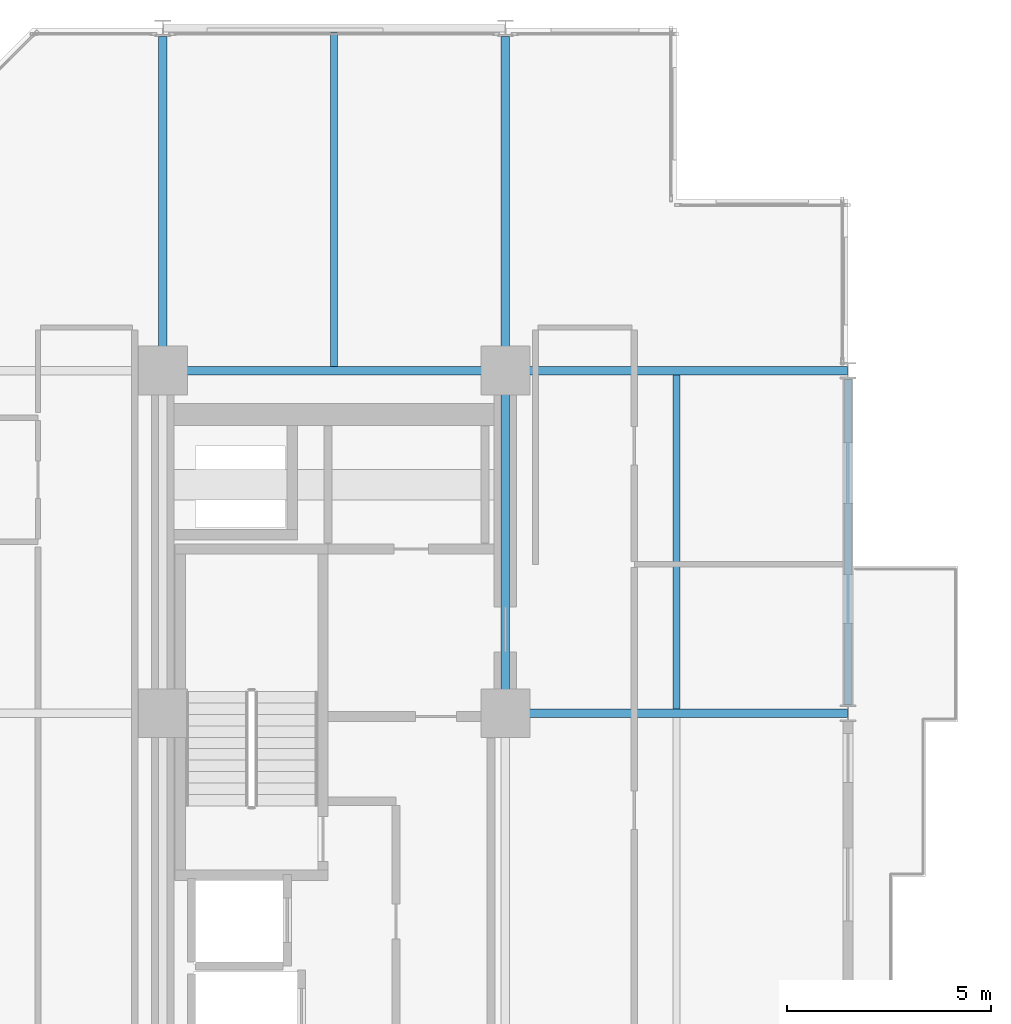
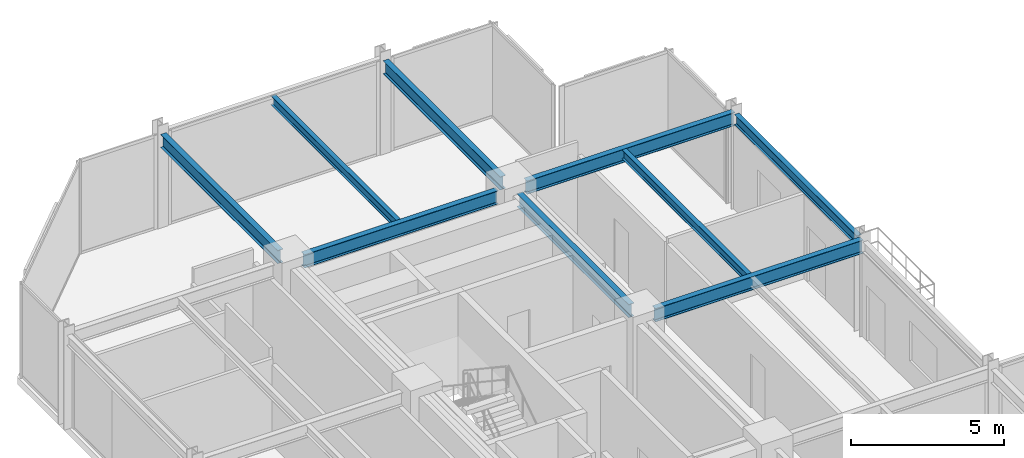
# One storey, part 19 of 29: 9 beams.
"""IFC4 building model written with IfcOpenShell, lengths in metres."""

import ifcopenshell
import ifcopenshell.guid

model = None  # the IFC model being written
_history = None  # IfcOwnerHistory: only IFC2X3 demands one
_inside = {}  # id of a spatial element -> (the spatial element, [elements in it])
_under = {}  # id of a project, library or spatial element -> (it, [spatial elements below it])
_declared = {}  # id of a project -> (the project, [libraries it declares])
_typed = {}  # id of a type object -> (the type object, [elements of that type])
_made_of = {}  # id of a material, layer set ... -> (it, [elements and type objects made of it])


def new_model(schema):
    """Start an empty IFC model of exactly this schema.

    Asked for "IFC4X3", IfcOpenShell would pick the latest addendum, in which some entities
    have other attributes; the version numbers below select the first issue.
    IFC2X3 requires an IfcOwnerHistory on every rooted entity: one is made here for all.
    """
    global model, _history
    if schema == "IFC4X3":
        model = ifcopenshell.file(schema_version=(4, 3, 0, 0))
    else:
        model = ifcopenshell.file(schema=schema)
    _inside.clear()
    _under.clear()
    _declared.clear()
    _typed.clear()
    _made_of.clear()
    _history = None
    if model.schema == "IFC2X3":
        org = make("IfcOrganization", Name="unknown")
        user = make(
            "IfcPersonAndOrganization",
            ThePerson=make("IfcPerson", FamilyName="unknown"),
            TheOrganization=org,
        )
        app = make(
            "IfcApplication",
            ApplicationDeveloper=org,
            Version="unknown",
            ApplicationFullName="unknown",
            ApplicationIdentifier="unknown",
        )
        _history = make(
            "IfcOwnerHistory",
            OwningUser=user,
            OwningApplication=app,
            ChangeAction="ADDED",
            CreationDate=0,
        )
    return model


def make(cls, **values):
    """One entity of the class cls with the attributes given. An attribute that is None is left unset."""
    return model.create_entity(
        cls, **{name: value for name, value in values.items() if value is not None}
    )


def rooted(cls, **values):
    """An entity with a GlobalId (a new one), such as an element, a storey or a relation."""
    return make(cls, GlobalId=ifcopenshell.guid.new(), OwnerHistory=_history, **values)


def si_unit(unit_type, name, prefix=None):
    """IfcSIUnit, for example si_unit("LENGTHUNIT", "METRE", prefix="MILLI")."""
    return make("IfcSIUnit", UnitType=unit_type, Prefix=prefix, Name=name)


def assignment(units):
    """IfcUnitAssignment: the units of a project."""
    return None if units is None else make("IfcUnitAssignment", Units=units)


def point(xyz):
    """IfcCartesianPoint."""
    return None if xyz is None else make("IfcCartesianPoint", Coordinates=xyz)


def direction(xyz):
    """IfcDirection."""
    return None if xyz is None else make("IfcDirection", DirectionRatios=xyz)


def frame(location, z_axis=None, x_axis=None):
    """IfcAxis2Placement3D, a coordinate frame: its origin and axes. An axis left out is left unset."""
    return make(
        "IfcAxis2Placement3D",
        Location=point(location),
        Axis=direction(z_axis),
        RefDirection=direction(x_axis),
    )


def frame_2d(location, x_axis=None):
    """IfcAxis2Placement2D, a coordinate frame in the plane: its origin and x axis."""
    return make(
        "IfcAxis2Placement2D", Location=point(location), RefDirection=direction(x_axis)
    )


def origin():
    """The frame at (0, 0, 0) with its axes left unset."""
    return frame((0.0, 0.0, 0.0))


def origin_2d():
    """The frame at (0, 0) in the plane with its x axis left unset."""
    return frame_2d((0.0, 0.0))


def place(relative_to, where):
    """IfcLocalPlacement: puts the frame where relative to a parent placement (None: the world)."""
    return make(
        "IfcLocalPlacement", PlacementRelTo=relative_to, RelativePlacement=where
    )


def context(
    kind, dimensions, precision=None, world=None, true_north=None, identifier=None
):
    """IfcGeometricRepresentationContext, for example the 3D "Model" context."""
    return make(
        "IfcGeometricRepresentationContext",
        ContextIdentifier=identifier,
        ContextType=kind,
        CoordinateSpaceDimension=dimensions,
        Precision=precision,
        WorldCoordinateSystem=world,
        TrueNorth=true_north,
    )


def subcontext(parent, identifier, kind, view, scale=None):
    """IfcGeometricRepresentationSubContext, for example "Body" below "Model"."""
    return make(
        "IfcGeometricRepresentationSubContext",
        ContextIdentifier=identifier,
        ContextType=kind,
        ParentContext=parent,
        TargetScale=scale,
        TargetView=view,
    )


def project(units=None, contexts=None):
    """IfcProject with its units and contexts."""
    return rooted(
        "IfcProject",
        Name="project",
        RepresentationContexts=contexts,
        UnitsInContext=assignment(units),
    )


def spatial(cls, under=None, at=None, **own):
    """A site, building, storey or space (cls), placed at a placement, below another one or the project."""
    s = rooted(cls, ObjectPlacement=at, **own)
    if under is not None:
        _under.setdefault(under.id(), (under, []))[1].append(s)
    return s


def profile(cls, at=None, kind="AREA", **sizes):
    """A parametric profile (cls). Its sizes go by their IFC names, for example OverallWidth=200.0."""
    return make(cls, ProfileType=kind, Position=at, **sizes)


def i_section(**sizes):
    """IfcIShapeProfileDef."""
    return profile("IfcIShapeProfileDef", **sizes)


def extrude(swept, where, along, depth):
    """IfcExtrudedAreaSolid: the profile swept, set in the frame where, extruded along a direction by depth."""
    return make(
        "IfcExtrudedAreaSolid",
        SweptArea=swept,
        Position=where,
        ExtrudedDirection=direction(along),
        Depth=depth,
    )


def shape(context_of_items, identifier, shape_type, items):
    """IfcShapeRepresentation: the items that make up one representation, for example the "Body"."""
    return make(
        "IfcShapeRepresentation",
        ContextOfItems=context_of_items,
        RepresentationIdentifier=identifier,
        RepresentationType=shape_type,
        Items=items,
    )


def material(Name=None, Category=None):
    """IfcMaterial."""
    return make("IfcMaterial", Name=Name, Category=Category)


def material_profile(
    of_material, cross_section, Name=None, Category=None, Priority=None
):
    """IfcMaterialProfile: a cross section and its material."""
    return make(
        "IfcMaterialProfile",
        Name=Name,
        Material=of_material,
        Profile=cross_section,
        Priority=Priority,
        Category=Category,
    )


def profile_set(profiles, Name=None, composite=None):
    """IfcMaterialProfileSet."""
    return make(
        "IfcMaterialProfileSet",
        Name=Name,
        MaterialProfiles=profiles,
        CompositeProfile=composite,
    )


def made_of(thing, what):
    """Note that an element or type object is made of a material, layer set ...; save() writes the relation."""
    if what is not None:
        _made_of.setdefault(what.id(), (what, []))[1].append(thing)
    return thing


def type_object(cls, material=None, **own):
    """A type object (cls), such as IfcWallType, which elements share."""
    return made_of(rooted(cls, **own), material)


def element(
    cls,
    number,
    at=None,
    inside=None,
    cuts=None,
    type_object=None,
    material=None,
    context=None,
    identifier="Body",
    shape_type=None,
    held_by="IfcProductDefinitionShape",
    body=None,
    shapes=None,
    **own,
):
    """One element of the class cls, such as IfcWall. Its Tag is "e" and its number.

    at: its placement. inside: the storey or other place that contains it. cuts: it is an
    opening in that element (IfcRelVoidsElement). A single representation is given by context,
    identifier, shape_type and body (its items); several are given by shapes. held_by: the class
    of the entity that holds the representations. save() writes the other relations.
    """
    e = rooted(cls, Tag="e%d" % number, ObjectPlacement=at, **own)
    if body is not None:
        shapes = [shape(context, identifier, shape_type, body)]
    if shapes is not None:
        e.Representation = make(held_by, Representations=shapes)
    if inside is not None:
        _inside.setdefault(inside.id(), (inside, []))[1].append(e)
    if cuts is not None:
        rooted(
            "IfcRelVoidsElement", RelatingBuildingElement=cuts, RelatedOpeningElement=e
        )
    if type_object is not None:
        _typed.setdefault(type_object.id(), (type_object, []))[1].append(e)
    return made_of(e, material)


def aggregate(whole, parts):
    """IfcRelAggregates: a whole, such as a stair, and the parts it consists of."""
    return rooted("IfcRelAggregates", RelatingObject=whole, RelatedObjects=parts)


def save(model, path):
    """Write the relations noted so far, then the file.

    IfcRelAggregates (storeys below a building ...), IfcRelContainedInSpatialStructure (elements
    in a storey), IfcRelDefinesByType, IfcRelAssociatesMaterial and IfcRelDeclares: one each for
    every whole, place, type object, material and project.
    """
    for whole, parts in _under.values():
        aggregate(whole, parts)
    for where, things in _inside.values():
        rooted(
            "IfcRelContainedInSpatialStructure",
            RelatedElements=things,
            RelatingStructure=where,
        )
    for kind, things in _typed.values():
        rooted("IfcRelDefinesByType", RelatedObjects=things, RelatingType=kind)
    for what, things in _made_of.values():
        rooted("IfcRelAssociatesMaterial", RelatedObjects=things, RelatingMaterial=what)
    for by, libraries in _declared.values():
        rooted("IfcRelDeclares", RelatingContext=by, RelatedDefinitions=libraries)
    model.write(path)


model = new_model("IFC4")

# Units and contexts
model_context = context("Model", 3, precision=1e-05, world=origin(), true_north=direction((0.0, 1.0)))
body_context = subcontext(model_context, "Body", "Model", "MODEL_VIEW")
ifc_project = project(units=[si_unit("LENGTHUNIT", "METRE"), si_unit("AREAUNIT", "SQUARE_METRE"), si_unit("VOLUMEUNIT", "CUBIC_METRE"), si_unit("PLANEANGLEUNIT", "RADIAN"), si_unit("MASSUNIT", "GRAM", prefix="KILO")], contexts=[model_context])

# Site, building, storey
site_placement = place(None, origin())
site = spatial("IfcSite", under=ifc_project, at=site_placement, CompositionType="ELEMENT")
building_placement = place(site_placement, origin())
building = spatial("IfcBuilding", under=site, at=building_placement, Name="Nerrivon Quay Data Exchange", CompositionType="ELEMENT")
storey_placement = place(building_placement, frame((0.0, 0.0, 158.199951171875)))
storey = spatial("IfcBuildingStorey", under=building, at=storey_placement, Name="L37", CompositionType="ELEMENT", Elevation=158.199951171875)

# Beams
ifc_material = material(Name="Steel Grade 350", Category="steel")
ifc_material_profile_1 = material_profile(ifc_material, i_section(OverallWidth=0.208984375, OverallDepth=0.532958984375, WebThickness=0.01025390625, FlangeThickness=0.015625, FilletRadius=0.013916015625, at=origin_2d()), Name="530UB92.4")
ifc_profile_set_1 = profile_set([ifc_material_profile_1], Name="Steel Grade 350")
beam_type_1 = type_object("IfcBeamType", Name="BM-G3-530UB92", PredefinedType="BEAM", material=ifc_profile_set_1)
beam_1_placement = place(storey_placement, frame((17.340087890625, 33.60009765625, 3.483642578125), z_axis=(1.0, 0.0, 0.0), x_axis=(0.0, 1.0, 0.0)))
element("IfcBeam", 1, at=beam_1_placement, inside=storey, type_object=beam_type_1, Name="L37 EW Girder Y=33.6 (16.8..25.2)", PredefinedType="BEAM", context=body_context, shape_type="SweptSolid", body=[
    extrude(i_section(OverallWidth=0.208984375, OverallDepth=0.532958984375, WebThickness=0.01025390625, FlangeThickness=0.015625, FilletRadius=0.013916015625, at=origin_2d()), origin(), (0.0, 0.0, 1.0), 7.847412109375),
])
beam_2_placement = place(storey_placement, frame((8.93994140625, 42.0, 3.483642578125), z_axis=(1.0, 0.0, 0.0), x_axis=(0.0, 1.0, 0.0)))
element("IfcBeam", 2, at=beam_2_placement, inside=storey, type_object=beam_type_1, Name="L37 EW Girder Y=42.0 (8.4..16.8)", PredefinedType="BEAM", context=body_context, shape_type="SweptSolid", body=[
    extrude(i_section(OverallWidth=0.208984375, OverallDepth=0.532958984375, WebThickness=0.01025390625, FlangeThickness=0.015625, FilletRadius=0.013916015625, at=origin_2d()), origin(), (0.0, 0.0, 1.0), 7.320068359375),
])
beam_3_placement = place(storey_placement, frame((17.340087890625, 42.0, 3.483642578125), z_axis=(1.0, 0.0, 0.0), x_axis=(0.0, 1.0, 0.0)))
element("IfcBeam", 3, at=beam_3_placement, inside=storey, type_object=beam_type_1, Name="L37 EW Girder Y=42.0 (16.8..25.2)", PredefinedType="BEAM", context=body_context, shape_type="SweptSolid", body=[
    extrude(i_section(OverallWidth=0.208984375, OverallDepth=0.532958984375, WebThickness=0.01025390625, FlangeThickness=0.015625, FilletRadius=0.013916015625, at=origin_2d()), origin(), (0.0, 0.0, 1.0), 7.847412109375),
])
ifc_material_profile_2 = material_profile(ifc_material, i_section(OverallWidth=0.208984375, OverallDepth=0.528076171875, WebThickness=0.009521484375, FlangeThickness=0.01318359375, FilletRadius=0.013916015625, at=origin_2d()), Name="530UB82.0")
ifc_profile_set_2 = profile_set([ifc_material_profile_2], Name="Steel Grade 350")
beam_type_2 = type_object("IfcBeamType", Name="BM-G4-530UB82", PredefinedType="BEAM", material=ifc_profile_set_2)
beam_4_placement = place(storey_placement, frame((8.39990234375, 42.5400390625, 3.486083984375), z_axis=(0.0, 1.0, 0.0), x_axis=(-1.0, 0.0, 0.0)))
element("IfcBeam", 4, at=beam_4_placement, inside=storey, type_object=beam_type_2, Name="L37 NS Girder X=8.4 (42.0..50.4)", PredefinedType="BEAM", context=body_context, shape_type="SweptSolid", body=[
    extrude(i_section(OverallWidth=0.208984375, OverallDepth=0.528076171875, WebThickness=0.009521484375, FlangeThickness=0.01318359375, FilletRadius=0.013916015625, at=origin_2d()), origin(), (0.0, 0.0, 1.0), 7.659912109375),
])
beam_5_placement = place(storey_placement, frame((16.800048828125, 34.139892578125, 3.486083984375), z_axis=(0.0, 1.0, 0.0), x_axis=(-1.0, 0.0, 0.0)))
element("IfcBeam", 5, at=beam_5_placement, inside=storey, type_object=beam_type_2, Name="L37 NS Girder X=16.8 (33.6..42.0)", PredefinedType="BEAM", context=body_context, shape_type="SweptSolid", body=[
    extrude(i_section(OverallWidth=0.208984375, OverallDepth=0.528076171875, WebThickness=0.009521484375, FlangeThickness=0.01318359375, FilletRadius=0.013916015625, at=origin_2d()), origin(), (0.0, 0.0, 1.0), 7.320068359375),
])
beam_6_placement = place(storey_placement, frame((16.800048828125, 42.5400390625, 3.486083984375), z_axis=(0.0, 1.0, 0.0), x_axis=(-1.0, 0.0, 0.0)))
element("IfcBeam", 6, at=beam_6_placement, inside=storey, type_object=beam_type_2, Name="L37 NS Girder X=16.8 (42.0..50.4)", PredefinedType="BEAM", context=body_context, shape_type="SweptSolid", body=[
    extrude(i_section(OverallWidth=0.208984375, OverallDepth=0.528076171875, WebThickness=0.009521484375, FlangeThickness=0.01318359375, FilletRadius=0.013916015625, at=origin_2d()), origin(), (0.0, 0.0, 1.0), 7.659912109375),
])
ifc_material_profile_3 = material_profile(ifc_material, i_section(OverallWidth=0.1708984375, OverallDepth=0.35595703125, WebThickness=0.00732421875, FlangeThickness=0.011474609375, FilletRadius=0.011474609375, at=origin_2d()), Name="360UB50.7")
ifc_profile_set_3 = profile_set([ifc_material_profile_3], Name="Steel Grade 350")
beam_type_3 = type_object("IfcBeamType", Name="BM-J4-360UB51", PredefinedType="JOIST", material=ifc_profile_set_3)
beam_7_placement = place(storey_placement, frame((12.60009765625, 42.1044921875, 3.572021484375), z_axis=(0.0, 1.0, 0.0), x_axis=(-1.0, 0.0, 0.0)))
element("IfcBeam", 7, at=beam_7_placement, inside=storey, type_object=beam_type_3, Name="L37 Secondary Joist X=12.6 (42.0..50.4)", PredefinedType="JOIST", context=body_context, shape_type="SweptSolid", body=[
    extrude(i_section(OverallWidth=0.1708984375, OverallDepth=0.35595703125, WebThickness=0.00732421875, FlangeThickness=0.011474609375, FilletRadius=0.011474609375, at=origin_2d()), origin(), (0.0, 0.0, 1.0), 8.20654296875),
])
beam_8_placement = place(storey_placement, frame((21.0, 33.70458984375, 3.572021484375), z_axis=(0.0, 1.0, 0.0), x_axis=(-1.0, 0.0, 0.0)))
element("IfcBeam", 8, at=beam_8_placement, inside=storey, type_object=beam_type_3, Name="L37 Secondary Joist X=21.0 (33.6..42.0)", PredefinedType="JOIST", context=body_context, shape_type="SweptSolid", body=[
    extrude(i_section(OverallWidth=0.1708984375, OverallDepth=0.35595703125, WebThickness=0.00732421875, FlangeThickness=0.011474609375, FilletRadius=0.011474609375, at=origin_2d()), origin(), (0.0, 0.0, 1.0), 8.19091796875),
])
ifc_material_profile_4 = material_profile(ifc_material, i_section(OverallWidth=0.177978515625, OverallDepth=0.403076171875, WebThickness=0.007568359375, FlangeThickness=0.010986328125, FilletRadius=0.011474609375, at=origin_2d()), Name="410UB53.7")
ifc_profile_set_4 = profile_set([ifc_material_profile_4], Name="Steel Grade 350")
beam_type_4 = type_object("IfcBeamType", Name="BM-SP2-410UB54", PredefinedType="SPANDREL", material=ifc_profile_set_4)
beam_9_placement = place(storey_placement, frame((25.199951171875, 33.800048828125, 3.548583984375), z_axis=(0.0, 1.0, 0.0), x_axis=(-1.0, 0.0, 0.0)))
element("IfcBeam", 9, at=beam_9_placement, inside=storey, type_object=beam_type_4, Name="L37 NS Girder X=25.2 (33.6..42.0)", PredefinedType="SPANDREL", context=body_context, shape_type="SweptSolid", body=[
    extrude(i_section(OverallWidth=0.177978515625, OverallDepth=0.403076171875, WebThickness=0.007568359375, FlangeThickness=0.010986328125, FilletRadius=0.011474609375, at=origin_2d()), origin(), (0.0, 0.0, 1.0), 8.0),
])

save(model, "model.ifc")
